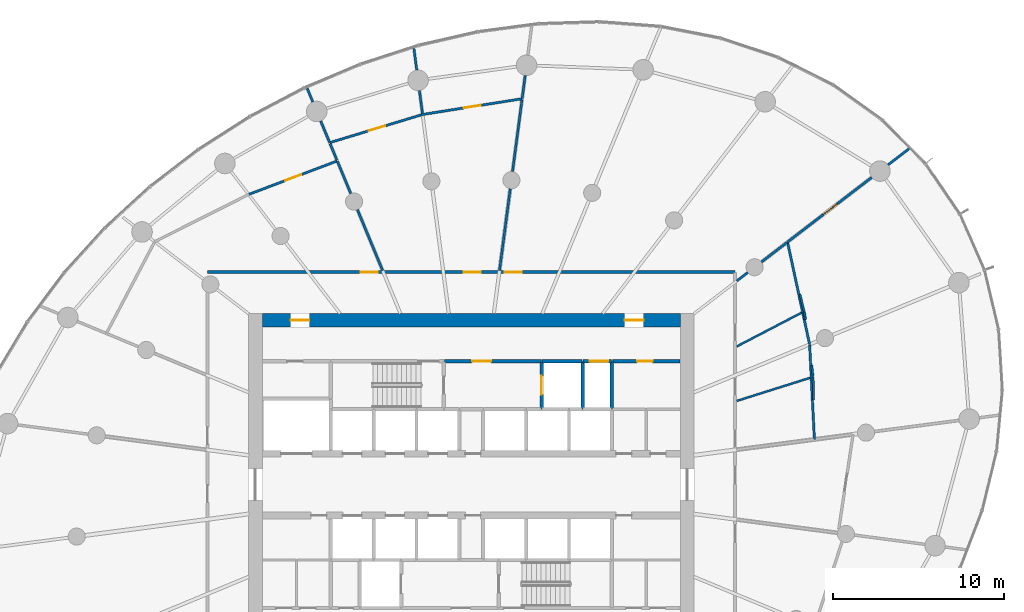
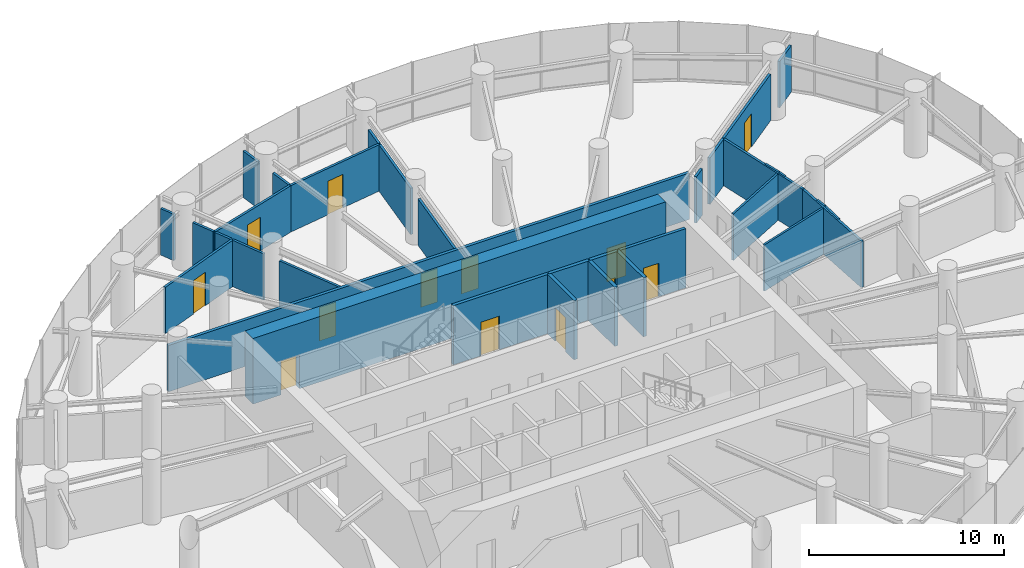
# One storey, part 14 of 18: 34 walls, 13 doors, 13 openings.
"""IFC4 building model written with IfcOpenShell, lengths in metres."""

import ifcopenshell
import ifcopenshell.guid

model = None  # the IFC model being written
_history = None  # IfcOwnerHistory: only IFC2X3 demands one
_inside = {}  # id of a spatial element -> (the spatial element, [elements in it])
_under = {}  # id of a project, library or spatial element -> (it, [spatial elements below it])
_declared = {}  # id of a project -> (the project, [libraries it declares])
_typed = {}  # id of a type object -> (the type object, [elements of that type])
_made_of = {}  # id of a material, layer set ... -> (it, [elements and type objects made of it])


def new_model(schema):
    """Start an empty IFC model of exactly this schema.

    Asked for "IFC4X3", IfcOpenShell would pick the latest addendum, in which some entities
    have other attributes; the version numbers below select the first issue.
    IFC2X3 requires an IfcOwnerHistory on every rooted entity: one is made here for all.
    """
    global model, _history
    if schema == "IFC4X3":
        model = ifcopenshell.file(schema_version=(4, 3, 0, 0))
    else:
        model = ifcopenshell.file(schema=schema)
    _inside.clear()
    _under.clear()
    _declared.clear()
    _typed.clear()
    _made_of.clear()
    _history = None
    if model.schema == "IFC2X3":
        org = make("IfcOrganization", Name="unknown")
        user = make(
            "IfcPersonAndOrganization",
            ThePerson=make("IfcPerson", FamilyName="unknown"),
            TheOrganization=org,
        )
        app = make(
            "IfcApplication",
            ApplicationDeveloper=org,
            Version="unknown",
            ApplicationFullName="unknown",
            ApplicationIdentifier="unknown",
        )
        _history = make(
            "IfcOwnerHistory",
            OwningUser=user,
            OwningApplication=app,
            ChangeAction="ADDED",
            CreationDate=0,
        )
    return model


def make(cls, **values):
    """One entity of the class cls with the attributes given. An attribute that is None is left unset."""
    return model.create_entity(
        cls, **{name: value for name, value in values.items() if value is not None}
    )


def rooted(cls, **values):
    """An entity with a GlobalId (a new one), such as an element, a storey or a relation."""
    return make(cls, GlobalId=ifcopenshell.guid.new(), OwnerHistory=_history, **values)


def si_unit(unit_type, name, prefix=None):
    """IfcSIUnit, for example si_unit("LENGTHUNIT", "METRE", prefix="MILLI")."""
    return make("IfcSIUnit", UnitType=unit_type, Prefix=prefix, Name=name)


def assignment(units):
    """IfcUnitAssignment: the units of a project."""
    return None if units is None else make("IfcUnitAssignment", Units=units)


def point(xyz):
    """IfcCartesianPoint."""
    return None if xyz is None else make("IfcCartesianPoint", Coordinates=xyz)


def direction(xyz):
    """IfcDirection."""
    return None if xyz is None else make("IfcDirection", DirectionRatios=xyz)


def frame(location, z_axis=None, x_axis=None):
    """IfcAxis2Placement3D, a coordinate frame: its origin and axes. An axis left out is left unset."""
    return make(
        "IfcAxis2Placement3D",
        Location=point(location),
        Axis=direction(z_axis),
        RefDirection=direction(x_axis),
    )


def frame_2d(location, x_axis=None):
    """IfcAxis2Placement2D, a coordinate frame in the plane: its origin and x axis."""
    return make(
        "IfcAxis2Placement2D", Location=point(location), RefDirection=direction(x_axis)
    )


def origin():
    """The frame at (0, 0, 0) with its axes left unset."""
    return frame((0.0, 0.0, 0.0))


def place(relative_to, where):
    """IfcLocalPlacement: puts the frame where relative to a parent placement (None: the world)."""
    return make(
        "IfcLocalPlacement", PlacementRelTo=relative_to, RelativePlacement=where
    )


def context(
    kind, dimensions, precision=None, world=None, true_north=None, identifier=None
):
    """IfcGeometricRepresentationContext, for example the 3D "Model" context."""
    return make(
        "IfcGeometricRepresentationContext",
        ContextIdentifier=identifier,
        ContextType=kind,
        CoordinateSpaceDimension=dimensions,
        Precision=precision,
        WorldCoordinateSystem=world,
        TrueNorth=true_north,
    )


def subcontext(parent, identifier, kind, view, scale=None):
    """IfcGeometricRepresentationSubContext, for example "Body" below "Model"."""
    return make(
        "IfcGeometricRepresentationSubContext",
        ContextIdentifier=identifier,
        ContextType=kind,
        ParentContext=parent,
        TargetScale=scale,
        TargetView=view,
    )


def project(units=None, contexts=None):
    """IfcProject with its units and contexts."""
    return rooted(
        "IfcProject",
        Name="project",
        RepresentationContexts=contexts,
        UnitsInContext=assignment(units),
    )


def spatial(cls, under=None, at=None, **own):
    """A site, building, storey or space (cls), placed at a placement, below another one or the project."""
    s = rooted(cls, ObjectPlacement=at, **own)
    if under is not None:
        _under.setdefault(under.id(), (under, []))[1].append(s)
    return s


def profile(cls, at=None, kind="AREA", **sizes):
    """A parametric profile (cls). Its sizes go by their IFC names, for example OverallWidth=200.0."""
    return make(cls, ProfileType=kind, Position=at, **sizes)


def rectangle(**sizes):
    """IfcRectangleProfileDef."""
    return profile("IfcRectangleProfileDef", **sizes)


def extrude(swept, where, along, depth):
    """IfcExtrudedAreaSolid: the profile swept, set in the frame where, extruded along a direction by depth."""
    return make(
        "IfcExtrudedAreaSolid",
        SweptArea=swept,
        Position=where,
        ExtrudedDirection=direction(along),
        Depth=depth,
    )


def shape(context_of_items, identifier, shape_type, items):
    """IfcShapeRepresentation: the items that make up one representation, for example the "Body"."""
    return make(
        "IfcShapeRepresentation",
        ContextOfItems=context_of_items,
        RepresentationIdentifier=identifier,
        RepresentationType=shape_type,
        Items=items,
    )


def source(mapping_origin, context_of_items, identifier, shape_type, items):
    """IfcRepresentationMap: a shape defined once, which mapped items show again and again."""
    return make(
        "IfcRepresentationMap",
        MappingOrigin=mapping_origin,
        MappedRepresentation=shape(context_of_items, identifier, shape_type, items),
    )


def transform(
    local_origin,
    x_axis=None,
    y_axis=None,
    z_axis=None,
    scale=None,
    scale2=None,
    scale3=None,
    uniform=True,
):
    """IfcCartesianTransformationOperator3D, or its non-uniform kind. x_axis, y_axis, z_axis: its Axis1, 2, 3."""
    if uniform:
        return make(
            "IfcCartesianTransformationOperator3D",
            Axis1=direction(x_axis),
            Axis2=direction(y_axis),
            LocalOrigin=point(local_origin),
            Scale=scale,
            Axis3=direction(z_axis),
        )
    return make(
        "IfcCartesianTransformationOperator3DnonUniform",
        Axis1=direction(x_axis),
        Axis2=direction(y_axis),
        LocalOrigin=point(local_origin),
        Scale=scale,
        Axis3=direction(z_axis),
        Scale2=scale2,
        Scale3=scale3,
    )


def mapped(mapping_source, mapping_target):
    """IfcMappedItem: shows the shape of a source again, moved by a transform."""
    return make(
        "IfcMappedItem", MappingSource=mapping_source, MappingTarget=mapping_target
    )


def material(Name=None, Category=None):
    """IfcMaterial."""
    return make("IfcMaterial", Name=Name, Category=Category)


def layer(
    of_material, thickness, ventilated=None, Name=None, Category=None, Priority=None
):
    """IfcMaterialLayer: one layer of a wall or slab, of a material (None: an air gap)."""
    return make(
        "IfcMaterialLayer",
        Material=of_material,
        LayerThickness=thickness,
        IsVentilated=ventilated,
        Name=Name,
        Category=Category,
        Priority=Priority,
    )


def layer_set(layers, Name=None):
    """IfcMaterialLayerSet."""
    return make("IfcMaterialLayerSet", MaterialLayers=layers, LayerSetName=Name)


def made_of(thing, what):
    """Note that an element or type object is made of a material, layer set ...; save() writes the relation."""
    if what is not None:
        _made_of.setdefault(what.id(), (what, []))[1].append(thing)
    return thing


def type_object(cls, material=None, **own):
    """A type object (cls), such as IfcWallType, which elements share."""
    return made_of(rooted(cls, **own), material)


def element(
    cls,
    number,
    at=None,
    inside=None,
    cuts=None,
    type_object=None,
    material=None,
    context=None,
    identifier="Body",
    shape_type=None,
    held_by="IfcProductDefinitionShape",
    body=None,
    shapes=None,
    **own,
):
    """One element of the class cls, such as IfcWall. Its Tag is "e" and its number.

    at: its placement. inside: the storey or other place that contains it. cuts: it is an
    opening in that element (IfcRelVoidsElement). A single representation is given by context,
    identifier, shape_type and body (its items); several are given by shapes. held_by: the class
    of the entity that holds the representations. save() writes the other relations.
    """
    e = rooted(cls, Tag="e%d" % number, ObjectPlacement=at, **own)
    if body is not None:
        shapes = [shape(context, identifier, shape_type, body)]
    if shapes is not None:
        e.Representation = make(held_by, Representations=shapes)
    if inside is not None:
        _inside.setdefault(inside.id(), (inside, []))[1].append(e)
    if cuts is not None:
        rooted(
            "IfcRelVoidsElement", RelatingBuildingElement=cuts, RelatedOpeningElement=e
        )
    if type_object is not None:
        _typed.setdefault(type_object.id(), (type_object, []))[1].append(e)
    return made_of(e, material)


def fill(opening, filler):
    """IfcRelFillsElement: the door or window that sits in an opening."""
    return rooted(
        "IfcRelFillsElement",
        RelatingOpeningElement=opening,
        RelatedBuildingElement=filler,
    )


def aggregate(whole, parts):
    """IfcRelAggregates: a whole, such as a stair, and the parts it consists of."""
    return rooted("IfcRelAggregates", RelatingObject=whole, RelatedObjects=parts)


def save(model, path):
    """Write the relations noted so far, then the file.

    IfcRelAggregates (storeys below a building ...), IfcRelContainedInSpatialStructure (elements
    in a storey), IfcRelDefinesByType, IfcRelAssociatesMaterial and IfcRelDeclares: one each for
    every whole, place, type object, material and project.
    """
    for whole, parts in _under.values():
        aggregate(whole, parts)
    for where, things in _inside.values():
        rooted(
            "IfcRelContainedInSpatialStructure",
            RelatedElements=things,
            RelatingStructure=where,
        )
    for kind, things in _typed.values():
        rooted("IfcRelDefinesByType", RelatedObjects=things, RelatingType=kind)
    for what, things in _made_of.values():
        rooted("IfcRelAssociatesMaterial", RelatedObjects=things, RelatingMaterial=what)
    for by, libraries in _declared.values():
        rooted("IfcRelDeclares", RelatingContext=by, RelatedDefinitions=libraries)
    model.write(path)


model = new_model("IFC4")

# Units and contexts
model_context = context("Model", 3, precision=1e-05, world=origin(), true_north=direction((0.0, 1.0)))
body_context = subcontext(model_context, "Body", "Model", "MODEL_VIEW")
ifc_project = project(units=[si_unit("LENGTHUNIT", "METRE"), si_unit("AREAUNIT", "SQUARE_METRE"), si_unit("VOLUMEUNIT", "CUBIC_METRE"), si_unit("PLANEANGLEUNIT", "RADIAN"), si_unit("MASSUNIT", "GRAM", prefix="KILO")], contexts=[model_context])

# Site, building, storey
site_placement = place(None, origin())
site = spatial("IfcSite", under=ifc_project, at=site_placement, CompositionType="ELEMENT")
building_placement = place(site_placement, origin())
building = spatial("IfcBuilding", under=site, at=building_placement, Name="Spindrift Exchange Tower", CompositionType="ELEMENT")
storey_placement = place(building_placement, frame((0.0, 0.0, 116.699951171875)))
storey = spatial("IfcBuildingStorey", under=building, at=storey_placement, Name="L27", CompositionType="ELEMENT", Elevation=116.699951171875)

# Wall, openings, doors
ifc_material_1 = material(Name="Concrete 65 MPa", Category="concrete")
ifc_layer_1 = layer(ifc_material_1, 0.800048828125)
ifc_layer_set_1 = layer_set([ifc_layer_1], Name="RC Core Wall 800 Concrete 65 MPa")
wall_type_1 = type_object("IfcWallType", Name="RC Core Wall 800 Concrete 65 MPa", PredefinedType="SHEAR", material=ifc_layer_set_1)
wall_1_placement = place(storey_placement, frame((64.199951171875, 57.60009765625, 0.0), z_axis=(0.0, 0.0, 1.0), x_axis=(-1.0, 0.0, 0.0)))
wall_1 = element("IfcWall", 1, at=wall_1_placement, inside=storey, type_object=wall_type_1, Name="Core wall N L27", PredefinedType="SHEAR", context=body_context, shape_type="SweptSolid", body=[
    extrude(rectangle(XDim=24.39990234375, YDim=0.800048828125, at=frame_2d((12.199951171875, 0.0))), origin(), (0.0, 0.0, 1.0), 4.10009765625),
])
opening_1_placement = place(wall_1_placement, frame((21.64990234375, 0.0, 0.0)))
opening_1 = element("IfcOpeningElement", 2, at=opening_1_placement, cuts=wall_1, Name="Opening L27-D20", PredefinedType="OPENING", context=body_context, shape_type="SweptSolid", body=[
    extrude(rectangle(XDim=1.10009765625, YDim=2.10009765625, at=frame_2d((0.550048828125, 1.050048828125))), frame((0.0, 0.409912109375, 0.0), z_axis=(0.0, -1.0, 0.0), x_axis=(1.0, 0.0, 0.0)), (0.0, 0.0, 1.0), 0.820068359375),
])
opening_2_placement = place(wall_1_placement, frame((2.14990234375, 0.0, 0.0)))
opening_2 = element("IfcOpeningElement", 3, at=opening_2_placement, cuts=wall_1, Name="Opening L27-D21", PredefinedType="OPENING", context=body_context, shape_type="SweptSolid", body=[
    extrude(rectangle(XDim=1.10009765625, YDim=2.10009765625, at=frame_2d((0.550048828125, 1.050048828125))), frame((0.0, 0.409912109375, 0.0), z_axis=(0.0, -1.0, 0.0), x_axis=(1.0, 0.0, 0.0)), (0.0, 0.0, 1.0), 0.820068359375),
])
ifc_material_2 = material(Name="Steel fire door", Category="steel")
door_type_1 = type_object("IfcDoorType", Name="DR-STAIR-1100", OperationType="NOTDEFINED", PredefinedType="DOOR", material=ifc_material_2)
shared_shape_1 = source(origin(), body_context, "Body", "SweptSolid", [
    extrude(rectangle(XDim=1.10009765625, YDim=2.10009765625, at=frame_2d((0.550048828125, 1.050048828125))), frame((0.0, 0.02490234375, 0.0), z_axis=(0.0, -1.0, 0.0), x_axis=(1.0, 0.0, 0.0)), (0.0, 0.0, 1.0), 0.050048828125),
])
door_1_placement = place(opening_1_placement, origin())
door_1 = element("IfcDoor", 4, at=door_1_placement, inside=storey, type_object=door_type_1, Name="L27 Stair door 20", OperationType="SINGLE_SWING_LEFT", OverallHeight=2.10009765625, OverallWidth=1.10009765625, PredefinedType="DOOR", context=body_context, shape_type="MappedRepresentation", body=[
    mapped(shared_shape_1, transform((0.0, 0.0, 0.0), scale=1.0)),
])
fill(opening_1, door_1)
door_2_placement = place(opening_2_placement, origin())
door_2 = element("IfcDoor", 5, at=door_2_placement, inside=storey, type_object=door_type_1, Name="L27 Stair door 21", OperationType="SINGLE_SWING_RIGHT", OverallHeight=2.10009765625, OverallWidth=1.10009765625, PredefinedType="DOOR", context=body_context, shape_type="MappedRepresentation", body=[
    mapped(shared_shape_1, transform((0.0, 0.0, 0.0), scale=1.0)),
])
fill(opening_2, door_2)

# Wall, opening, door
ifc_material_3 = material(Name="Fire-rated plasterboard partition", Category="gypsum")
ifc_layer_2 = layer(ifc_material_3, 0.179931640625)
ifc_layer_set_2 = layer_set([ifc_layer_2], Name="W-CORR-180")
wall_type_2 = type_object("IfcWallType", Name="W-CORR-180", PredefinedType="PARTITIONING", material=ifc_layer_set_2)
wall_2_placement = place(storey_placement, frame((64.179931640625, 55.199951171875, 0.0), z_axis=(0.0, 0.0, 1.0), x_axis=(-1.0, 0.0, 0.0)))
wall_2 = element("IfcWall", 6, at=wall_2_placement, inside=storey, type_object=wall_type_2, Name="L27 Partition wall 62", PredefinedType="PARTITIONING", context=body_context, shape_type="SweptSolid", body=[
    extrude(rectangle(XDim=3.949951171875, YDim=0.179931640625, at=frame_2d((1.97509765625, 0.0))), origin(), (0.0, 0.0, 1.0), 3.699951171875),
])
opening_3_placement = place(wall_2_placement, frame((1.60009765625, 0.0, 0.0)))
opening_3 = element("IfcOpeningElement", 7, at=opening_3_placement, cuts=wall_2, Name="Opening L27-D49", PredefinedType="OPENING", context=body_context, shape_type="SweptSolid", body=[
    extrude(rectangle(XDim=0.89990234375, YDim=2.10009765625, at=frame_2d((0.449951171875, 1.050048828125))), frame((0.0, 0.099853515625, 0.0), z_axis=(0.0, -1.0, 0.0), x_axis=(1.0, 0.0, 0.0)), (0.0, 0.0, 1.0), 0.199951171875),
])
ifc_material_4 = material(Name="Steel access door", Category="steel")
door_type_2 = type_object("IfcDoorType", Name="DR-RISER-900", OperationType="NOTDEFINED", PredefinedType="DOOR", material=ifc_material_4)
shared_shape_2 = source(origin(), body_context, "Body", "SweptSolid", [
    extrude(rectangle(XDim=0.89990234375, YDim=2.10009765625, at=frame_2d((0.449951171875, 1.050048828125))), frame((0.0, 0.02490234375, 0.0), z_axis=(0.0, -1.0, 0.0), x_axis=(1.0, 0.0, 0.0)), (0.0, 0.0, 1.0), 0.050048828125),
])
door_3_placement = place(opening_3_placement, origin())
door_3 = element("IfcDoor", 8, at=door_3_placement, inside=storey, type_object=door_type_2, Name="L27 Riser door 49", OperationType="SINGLE_SWING_RIGHT", OverallHeight=2.10009765625, OverallWidth=0.89990234375, PredefinedType="DOOR", context=body_context, shape_type="MappedRepresentation", body=[
    mapped(shared_shape_2, transform((0.0, 0.0, 0.0), scale=1.0)),
])
fill(opening_3, door_3)

ifc_layer_3 = layer(ifc_material_3, 0.139892578125)
ifc_layer_set_3 = layer_set([ifc_layer_3], Name="W-PART-140")
wall_type_3 = type_object("IfcWallType", Name="W-PART-140", PredefinedType="PARTITIONING", material=ifc_layer_set_3)
wall_3_placement = place(storey_placement, frame((49.156005859375, 69.6025390625, 0.0), z_axis=(0.0, 0.0, 1.0), x_axis=(0.987742424173, 0.156092611898, 0.0)))
wall_3 = element("IfcWall", 9, at=wall_3_placement, inside=storey, type_object=wall_type_3, Name="L27 Partition wall 72", PredefinedType="PARTITIONING", context=body_context, shape_type="SweptSolid", body=[
    extrude(rectangle(XDim=5.880859375, YDim=0.139892578125, at=frame_2d((2.9404296875, 0.0))), origin(), (0.0, 0.0, 1.0), 2.900146484375),
])
opening_4_placement = place(wall_3_placement, frame((2.430908203125, 0.0, 0.0)))
opening_4 = element("IfcOpeningElement", 10, at=opening_4_placement, cuts=wall_3, Name="Opening L27-D30", PredefinedType="OPENING", context=body_context, shape_type="SweptSolid", body=[
    extrude(rectangle(XDim=1.0, YDim=2.10009765625, at=frame_2d((0.5, 1.050048828125))), frame((0.0, 0.079833984375, 0.0), z_axis=(0.0, -1.0, 0.0), x_axis=(1.0, 0.0, 0.0)), (0.0, 0.0, 1.0), 0.159912109375),
])
ifc_material_5 = material(Name="Timber-core fire door", Category="wood")
door_type_3 = type_object("IfcDoorType", Name="DR-ROOM-1000", OperationType="NOTDEFINED", PredefinedType="DOOR", material=ifc_material_5)
shared_shape_3 = source(origin(), body_context, "Body", "SweptSolid", [
    extrude(rectangle(XDim=1.0, YDim=2.10009765625, at=frame_2d((0.5, 1.050048828125))), frame((0.0, 0.02490234375, 0.0), z_axis=(0.0, -1.0, 0.0), x_axis=(1.0, 0.0, 0.0)), (0.0, 0.0, 1.0), 0.050048828125),
])
door_4_placement = place(opening_4_placement, origin())
door_4 = element("IfcDoor", 11, at=door_4_placement, inside=storey, type_object=door_type_3, Name="L27 Door 30", OperationType="SINGLE_SWING_LEFT", OverallHeight=2.10009765625, OverallWidth=1.0, PredefinedType="DOOR", context=body_context, shape_type="MappedRepresentation", body=[
    mapped(shared_shape_3, transform((0.0, 0.0, 0.0), scale=1.0)),
])
fill(opening_4, door_4)

wall_4_placement = place(storey_placement, frame((43.7333984375, 67.957275390625, 0.0), z_axis=(0.0, 0.0, 1.0), x_axis=(0.956926356981, 0.290330755028, 0.0)))
wall_4 = element("IfcWall", 12, at=wall_4_placement, inside=storey, type_object=wall_type_3, Name="L27 Partition wall 74", PredefinedType="PARTITIONING", context=body_context, shape_type="SweptSolid", body=[
    extrude(rectangle(XDim=5.636474609375, YDim=0.139892578125, at=frame_2d((2.818359375, 0.0))), origin(), (0.0, 0.0, 1.0), 2.900146484375),
])
opening_5_placement = place(wall_4_placement, frame((2.38671875, 0.0, 0.0)))
opening_5 = element("IfcOpeningElement", 13, at=opening_5_placement, cuts=wall_4, Name="Opening L27-D31", PredefinedType="OPENING", context=body_context, shape_type="SweptSolid", body=[
    extrude(rectangle(XDim=1.0, YDim=2.10009765625, at=frame_2d((0.5, 1.050048828125))), frame((0.0, 0.079833984375, 0.0), z_axis=(0.0, -1.0, 0.0), x_axis=(1.0, 0.0, 0.0)), (0.0, 0.0, 1.0), 0.159912109375),
])
door_5_placement = place(opening_5_placement, origin())
door_5 = element("IfcDoor", 14, at=door_5_placement, inside=storey, type_object=door_type_3, Name="L27 Door 31", OperationType="SINGLE_SWING_RIGHT", OverallHeight=2.10009765625, OverallWidth=1.0, PredefinedType="DOOR", context=body_context, shape_type="MappedRepresentation", body=[
    mapped(shared_shape_3, transform((0.0, 0.0, 0.0), scale=1.0)),
])
fill(opening_5, door_5)

wall_5_placement = place(storey_placement, frame((39.0322265625, 64.947021484375, 0.0), z_axis=(0.0, 0.0, 1.0), x_axis=(0.935431962105, 0.353506781084, 0.0)))
wall_5 = element("IfcWall", 15, at=wall_5_placement, inside=storey, type_object=wall_type_3, Name="L27 Partition wall 78", PredefinedType="PARTITIONING", context=body_context, shape_type="SweptSolid", body=[
    extrude(rectangle(XDim=5.498046875, YDim=0.139892578125, at=frame_2d((2.7490234375, 0.0))), origin(), (0.0, 0.0, 1.0), 2.900146484375),
])
opening_6_placement = place(wall_5_placement, frame((2.248046875, 0.0, 0.0)))
opening_6 = element("IfcOpeningElement", 16, at=opening_6_placement, cuts=wall_5, Name="Opening L27-D33", PredefinedType="OPENING", context=body_context, shape_type="SweptSolid", body=[
    extrude(rectangle(XDim=1.0, YDim=2.10009765625, at=frame_2d((0.5, 1.050048828125))), frame((0.0, 0.079833984375, 0.0), z_axis=(0.0, -1.0, 0.0), x_axis=(1.0, 0.0, 0.0)), (0.0, 0.0, 1.0), 0.159912109375),
])
door_6_placement = place(opening_6_placement, origin())
door_6 = element("IfcDoor", 17, at=door_6_placement, inside=storey, type_object=door_type_3, Name="L27 Door 33", OperationType="SINGLE_SWING_RIGHT", OverallHeight=2.10009765625, OverallWidth=1.0, PredefinedType="DOOR", context=body_context, shape_type="MappedRepresentation", body=[
    mapped(shared_shape_3, transform((0.0, 0.0, 0.0), scale=1.0)),
])
fill(opening_6, door_6)

# Walls
wall_6_placement = place(storey_placement, frame((46.826416015625, 60.489990234375, 0.0), z_axis=(0.0, 0.0, 1.0), x_axis=(-0.382644558062, 0.923895633817, 0.0)))
element("IfcWall", 18, at=wall_6_placement, inside=storey, type_object=wall_type_3, Name="L27 Partition wall 88", PredefinedType="PARTITIONING", context=body_context, shape_type="SweptSolid", body=[
    extrude(rectangle(XDim=3.854248046875, YDim=0.139892578125, at=frame_2d((1.92724609375, 0.0))), origin(), (0.0, 0.0, 1.0), 2.900146484375),
])
wall_7_placement = place(storey_placement, frame((44.965087890625, 64.984130859375, 0.0), z_axis=(0.0, 0.0, 1.0), x_axis=(-0.382705198342, 0.923870516448, 0.0)))
element("IfcWall", 19, at=wall_7_placement, inside=storey, type_object=wall_type_3, Name="L27 Partition wall 97", PredefinedType="PARTITIONING", context=body_context, shape_type="SweptSolid", body=[
    extrude(rectangle(XDim=2.03369140625, YDim=0.139892578125, at=frame_2d((1.016845703125, 0.0))), origin(), (0.0, 0.0, 1.0), 2.900146484375),
])
wall_8_placement = place(storey_placement, frame((49.146728515625, 69.672119140625, 0.0), z_axis=(0.0, 0.0, 1.0), x_axis=(-0.13053490902, 0.991443713746, 0.0)))
element("IfcWall", 20, at=wall_8_placement, inside=storey, type_object=wall_type_3, Name="L27 Partition wall 111", PredefinedType="PARTITIONING", context=body_context, shape_type="SweptSolid", body=[
    extrude(rectangle(XDim=1.33544921875, YDim=0.139892578125, at=frame_2d((0.667724609375, 0.0))), origin(), (0.0, 0.0, 1.0), 2.900146484375),
])
wall_9_placement = place(storey_placement, frame((43.721923828125, 67.985107421875, 0.0), z_axis=(0.0, 0.0, 1.0), x_axis=(-0.382684725633, 0.923878996821, 0.0)))
element("IfcWall", 21, at=wall_9_placement, inside=storey, type_object=wall_type_3, Name="L27 Partition wall 113", PredefinedType="PARTITIONING", context=body_context, shape_type="SweptSolid", body=[
    extrude(rectangle(XDim=1.33837890625, YDim=0.139892578125, at=frame_2d((0.669189453125, 0.0))), origin(), (0.0, 0.0, 1.0), 2.900146484375),
])
wall_10_placement = place(storey_placement, frame((48.814697265625, 72.194580078125, 0.0), z_axis=(0.0, 0.0, 1.0), x_axis=(-0.130583288492, 0.991437342834, 0.0)))
element("IfcWall", 22, at=wall_10_placement, inside=storey, type_object=wall_type_3, Name="L27 Partition wall 114", PredefinedType="PARTITIONING", context=body_context, shape_type="SweptSolid", body=[
    extrude(rectangle(XDim=1.275146484375, YDim=0.139892578125, at=frame_2d((0.6376953125, 0.0))), origin(), (0.0, 0.0, 1.0), 2.900146484375),
])
wall_11_placement = place(storey_placement, frame((44.1484375, 66.955322265625, 0.0), z_axis=(0.0, 0.0, 1.0), x_axis=(-0.382734457734, 0.923858395461, 0.0)))
element("IfcWall", 23, at=wall_11_placement, inside=storey, type_object=wall_type_3, Name="L27 Partition wall 119", PredefinedType="PARTITIONING", context=body_context, shape_type="SweptSolid", body=[
    extrude(rectangle(XDim=1.01416015625, YDim=0.139892578125, at=frame_2d((0.507080078125, 0.0))), origin(), (0.0, 0.0, 1.0), 2.900146484375),
])
wall_12_placement = place(storey_placement, frame((42.74658203125, 70.339599609375, 0.0), z_axis=(0.0, 0.0, 1.0), x_axis=(-0.38271578582, 0.923866130608, 0.0)))
element("IfcWall", 24, at=wall_12_placement, inside=storey, type_object=wall_type_3, Name="L27 Partition wall 123", PredefinedType="PARTITIONING", context=body_context, shape_type="SweptSolid", body=[
    extrude(rectangle(XDim=0.84912109375, YDim=0.139892578125, at=frame_2d((0.424560546875, 0.0))), origin(), (0.0, 0.0, 1.0), 2.900146484375),
])
ifc_layer_4 = layer(ifc_material_3, 0.1201171875)
ifc_layer_set_4 = layer_set([ifc_layer_4], Name="W-PLANT-120")
wall_type_4 = type_object("IfcWallType", Name="W-PLANT-120", PredefinedType="PARTITIONING", material=ifc_layer_set_4)
wall_13_placement = place(storey_placement, frame((71.422607421875, 58.11083984375, 0.0), z_axis=(0.0, 0.0, 1.0), x_axis=(-0.232763298867, 0.972533416753, 0.0)))
element("IfcWall", 25, at=wall_13_placement, inside=storey, type_object=wall_type_4, Name="L27 Partition wall 127", PredefinedType="PARTITIONING", context=body_context, shape_type="SweptSolid", body=[
    extrude(rectangle(XDim=1.030029296875, YDim=0.1201171875, at=frame_2d((0.51513671875, 0.0))), origin(), (0.0, 0.0, 1.0), 2.900146484375),
])
wall_14_placement = place(storey_placement, frame((71.976806640625, 52.94970703125, 0.0), z_axis=(0.0, 0.0, 1.0), x_axis=(-0.019846754813, 0.999803033764, 0.0)))
element("IfcWall", 26, at=wall_14_placement, inside=storey, type_object=wall_type_4, Name="L27 Partition wall 128", PredefinedType="PARTITIONING", context=body_context, shape_type="SweptSolid", body=[
    extrude(rectangle(XDim=1.3408203125, YDim=0.1201171875, at=frame_2d((0.67041015625, 0.0))), origin(), (0.0, 0.0, 1.0), 2.900146484375),
])
wall_15_placement = place(storey_placement, frame((71.502197265625, 57.6328125, 0.0), z_axis=(0.0, 0.0, 1.0), x_axis=(-0.16431191093, 0.986408432611, 0.0)))
element("IfcWall", 27, at=wall_15_placement, inside=storey, type_object=wall_type_4, Name="L27 Partition wall 129", PredefinedType="PARTITIONING", context=body_context, shape_type="SweptSolid", body=[
    extrude(rectangle(XDim=0.45458984375, YDim=0.1201171875, at=frame_2d((0.227294921875, 0.0))), origin(), (0.0, 0.0, 1.0), 2.900146484375),
])
wall_16_placement = place(storey_placement, frame((71.94677734375, 54.320068359375, 0.0), z_axis=(0.0, 0.0, 1.0), x_axis=(-0.108019844457, 0.994148737968, 0.0)))
element("IfcWall", 28, at=wall_16_placement, inside=storey, type_object=wall_type_4, Name="L27 Partition wall 130", PredefinedType="PARTITIONING", context=body_context, shape_type="SweptSolid", body=[
    extrude(rectangle(XDim=0.666748046875, YDim=0.1201171875, at=frame_2d((0.33349609375, 0.0))), origin(), (0.0, 0.0, 1.0), 2.900146484375),
])

# Wall, opening, door
ifc_layer_5 = layer(ifc_material_3, 0.139892578125)
ifc_layer_set_5 = layer_set([ifc_layer_5], Name="W-PLANT-140")
wall_type_5 = type_object("IfcWallType", Name="W-PLANT-140", PredefinedType="PARTITIONING", material=ifc_layer_set_5)
wall_17_placement = place(storey_placement, frame((75.368896484375, 65.931396484375, 0.0), z_axis=(0.0, 0.0, 1.0), x_axis=(-0.793364649737, -0.608746689969, 0.0)))
wall_17 = element("IfcWall", 29, at=wall_17_placement, inside=storey, type_object=wall_type_5, Name="L27 Partition wall 66", PredefinedType="PARTITIONING", context=body_context, shape_type="SweptSolid", body=[
    extrude(rectangle(XDim=6.195556640625, YDim=0.139892578125, at=frame_2d((3.09765625, 0.0))), origin(), (0.0, 0.0, 1.0), 2.900146484375),
])
opening_7_placement = place(wall_17_placement, frame((2.54541015625, 0.0, 0.0)))
opening_7 = element("IfcOpeningElement", 30, at=opening_7_placement, cuts=wall_17, Name="Opening L27-D28", PredefinedType="OPENING", context=body_context, shape_type="SweptSolid", body=[
    extrude(rectangle(XDim=1.0, YDim=2.10009765625, at=frame_2d((0.5, 1.050048828125))), frame((0.0, 0.079833984375, 0.0), z_axis=(0.0, -1.0, 0.0), x_axis=(1.0, 0.0, 0.0)), (0.0, 0.0, 1.0), 0.159912109375),
])
door_7_placement = place(opening_7_placement, origin())
door_7 = element("IfcDoor", 31, at=door_7_placement, inside=storey, type_object=door_type_3, Name="L27 Door 28", OperationType="SINGLE_SWING_LEFT", OverallHeight=2.10009765625, OverallWidth=1.0, PredefinedType="DOOR", context=body_context, shape_type="MappedRepresentation", body=[
    mapped(shared_shape_3, transform((0.0, 0.0, 0.0), scale=1.0)),
])
fill(opening_7, door_7)

# Walls
wall_18_placement = place(storey_placement, frame((71.74462890625, 56.178466796875, 0.0), z_axis=(0.0, 0.0, 1.0), x_axis=(-0.211012899324, 0.977483276746, 0.0)))
element("IfcWall", 32, at=wall_18_placement, inside=storey, type_object=wall_type_5, Name="L27 Partition wall 68", PredefinedType="PARTITIONING", context=body_context, shape_type="SweptSolid", body=[
    extrude(rectangle(XDim=6.08935546875, YDim=0.139892578125, at=frame_2d((3.044677734375, 0.0))), origin(), (0.0, 0.0, 1.0), 2.900146484375),
])
wall_19_placement = place(storey_placement, frame((72.022705078125, 50.635986328125, 0.0), z_axis=(0.0, 0.0, 1.0), x_axis=(-0.050114100286, 0.998743499079, 0.0)))
element("IfcWall", 33, at=wall_19_placement, inside=storey, type_object=wall_type_5, Name="L27 Partition wall 77", PredefinedType="PARTITIONING", context=body_context, shape_type="SweptSolid", body=[
    extrude(rectangle(XDim=5.51953125, YDim=0.139892578125, at=frame_2d((2.759765625, 0.0))), origin(), (0.0, 0.0, 1.0), 2.900146484375),
])
wall_20_placement = place(storey_placement, frame((53.644287109375, 60.489990234375, 0.0), z_axis=(0.0, 0.0, 1.0), x_axis=(0.130523979823, 0.991445152639, 0.0)))
element("IfcWall", 34, at=wall_20_placement, inside=storey, type_object=wall_type_5, Name="L27 Partition wall 81", PredefinedType="PARTITIONING", context=body_context, shape_type="SweptSolid", body=[
    extrude(rectangle(XDim=4.818359375, YDim=0.139892578125, at=frame_2d((2.4091796875, 0.0))), origin(), (0.0, 0.0, 1.0), 2.900146484375),
])
wall_21_placement = place(storey_placement, frame((54.405029296875, 66.267333984375, 0.0), z_axis=(0.0, 0.0, 1.0), x_axis=(0.130494948199, 0.991448974226, 0.0)))
element("IfcWall", 35, at=wall_21_placement, inside=storey, type_object=wall_type_5, Name="L27 Partition wall 84", PredefinedType="PARTITIONING", context=body_context, shape_type="SweptSolid", body=[
    extrude(rectangle(XDim=4.217041015625, YDim=0.139892578125, at=frame_2d((2.1083984375, 0.0))), origin(), (0.0, 0.0, 1.0), 2.900146484375),
])
wall_22_placement = place(storey_placement, frame((68.93505859375, 60.99462890625, 0.0), z_axis=(0.0, 0.0, 1.0), x_axis=(0.793326792115, 0.608796025703, 0.0)))
element("IfcWall", 36, at=wall_22_placement, inside=storey, type_object=wall_type_5, Name="L27 Partition wall 106", PredefinedType="PARTITIONING", context=body_context, shape_type="SweptSolid", body=[
    extrude(rectangle(XDim=1.884033203125, YDim=0.139892578125, at=frame_2d((0.94189453125, 0.0))), origin(), (0.0, 0.0, 1.0), 2.900146484375),
])
wall_23_placement = place(storey_placement, frame((76.32763671875, 66.667236328125, 0.0), z_axis=(0.0, 0.0, 1.0), x_axis=(0.793354548889, 0.60875985393, 0.0)))
element("IfcWall", 37, at=wall_23_placement, inside=storey, type_object=wall_type_5, Name="L27 Partition wall 110", PredefinedType="PARTITIONING", context=body_context, shape_type="SweptSolid", body=[
    extrude(rectangle(XDim=1.576416015625, YDim=0.139892578125, at=frame_2d((0.7880859375, 0.0))), origin(), (0.0, 0.0, 1.0), 2.900146484375),
])
wall_24_placement = place(storey_placement, frame((54.96875, 70.55029296875, 0.0), z_axis=(0.0, 0.0, 1.0), x_axis=(0.130563003548, 0.991440014375, 0.0)))
element("IfcWall", 38, at=wall_24_placement, inside=storey, type_object=wall_type_5, Name="L27 Partition wall 112", PredefinedType="PARTITIONING", context=body_context, shape_type="SweptSolid", body=[
    extrude(rectangle(XDim=1.3388671875, YDim=0.139892578125, at=frame_2d((0.66943359375, 0.0))), origin(), (0.0, 0.0, 1.0), 2.900146484375),
])
wall_25_placement = place(storey_placement, frame((67.489990234375, 59.885986328125, 0.0), z_axis=(0.0, 0.0, 1.0), x_axis=(0.793316076519, 0.608809989025, 0.0)))
element("IfcWall", 39, at=wall_25_placement, inside=storey, type_object=wall_type_5, Name="L27 Partition wall 122", PredefinedType="PARTITIONING", context=body_context, shape_type="SweptSolid", body=[
    extrude(rectangle(XDim=0.8125, YDim=0.139892578125, at=frame_2d((0.40625, 0.0))), origin(), (0.0, 0.0, 1.0), 2.900146484375),
])

# Wall, openings, doors
ifc_layer_6 = layer(ifc_material_3, 0.179931640625)
ifc_layer_set_6 = layer_set([ifc_layer_6], Name="W-PLANT-180")
wall_type_6 = type_object("IfcWallType", Name="W-PLANT-180", PredefinedType="PARTITIONING", material=ifc_layer_set_6)
wall_26_placement = place(storey_placement, frame((36.60009765625, 60.39990234375, 0.0), z_axis=(0.0, 0.0, 1.0), x_axis=(1.0, 0.0, 0.0)))
wall_26 = element("IfcWall", 40, at=wall_26_placement, inside=storey, type_object=wall_type_6, Name="L27 Partition wall 58", PredefinedType="PARTITIONING", context=body_context, shape_type="SweptSolid", body=[
    extrude(rectangle(XDim=30.7998046875, YDim=0.179931640625, at=frame_2d((15.39990234375, 0.0))), origin(), (0.0, 0.0, 1.0), 2.900146484375),
])
opening_8_placement = place(wall_26_placement, frame((17.35009765625, 0.0, 0.0)))
opening_8 = element("IfcOpeningElement", 41, at=opening_8_placement, cuts=wall_26, Name="Opening L27-D27", PredefinedType="OPENING", context=body_context, shape_type="SweptSolid", body=[
    extrude(rectangle(XDim=1.0, YDim=2.10009765625, at=frame_2d((0.5, 1.050048828125))), frame((0.0, 0.099853515625, 0.0), z_axis=(0.0, -1.0, 0.0), x_axis=(1.0, 0.0, 0.0)), (0.0, 0.0, 1.0), 0.199951171875),
])
opening_9_placement = place(wall_26_placement, frame((14.949951171875, 0.0, 0.0)))
opening_9 = element("IfcOpeningElement", 42, at=opening_9_placement, cuts=wall_26, Name="Opening L27-D29", PredefinedType="OPENING", context=body_context, shape_type="SweptSolid", body=[
    extrude(rectangle(XDim=1.0, YDim=2.10009765625, at=frame_2d((0.5, 1.050048828125))), frame((0.0, 0.099853515625, 0.0), z_axis=(0.0, -1.0, 0.0), x_axis=(1.0, 0.0, 0.0)), (0.0, 0.0, 1.0), 0.199951171875),
])
opening_10_placement = place(wall_26_placement, frame((8.949951171875, 0.0, 0.0)))
opening_10 = element("IfcOpeningElement", 43, at=opening_10_placement, cuts=wall_26, Name="Opening L27-D32", PredefinedType="OPENING", context=body_context, shape_type="SweptSolid", body=[
    extrude(rectangle(XDim=1.0, YDim=2.10009765625, at=frame_2d((0.5, 1.050048828125))), frame((0.0, 0.099853515625, 0.0), z_axis=(0.0, -1.0, 0.0), x_axis=(1.0, 0.0, 0.0)), (0.0, 0.0, 1.0), 0.199951171875),
])
door_8_placement = place(opening_8_placement, origin())
door_8 = element("IfcDoor", 44, at=door_8_placement, inside=storey, type_object=door_type_3, Name="L27 Door 27", OperationType="SINGLE_SWING_RIGHT", OverallHeight=2.10009765625, OverallWidth=1.0, PredefinedType="DOOR", context=body_context, shape_type="MappedRepresentation", body=[
    mapped(shared_shape_3, transform((0.0, 0.0, 0.0), scale=1.0)),
])
fill(opening_8, door_8)
door_9_placement = place(opening_9_placement, origin())
door_9 = element("IfcDoor", 45, at=door_9_placement, inside=storey, type_object=door_type_3, Name="L27 Door 29", OperationType="SINGLE_SWING_RIGHT", OverallHeight=2.10009765625, OverallWidth=1.0, PredefinedType="DOOR", context=body_context, shape_type="MappedRepresentation", body=[
    mapped(shared_shape_3, transform((0.0, 0.0, 0.0), scale=1.0)),
])
fill(opening_9, door_9)
door_10_placement = place(opening_10_placement, origin())
door_10 = element("IfcDoor", 46, at=door_10_placement, inside=storey, type_object=door_type_3, Name="L27 Door 32", OperationType="SINGLE_SWING_LEFT", OverallHeight=2.10009765625, OverallWidth=1.0, PredefinedType="DOOR", context=body_context, shape_type="MappedRepresentation", body=[
    mapped(shared_shape_3, transform((0.0, 0.0, 0.0), scale=1.0)),
])
fill(opening_10, door_10)

# Wall, opening, door
ifc_material_6 = material(Name="Concrete 40 MPa", Category="concrete")
ifc_layer_7 = layer(ifc_material_6, 0.199951171875)
ifc_layer_set_7 = layer_set([ifc_layer_7], Name="W-SHAFT-200")
wall_type_7 = type_object("IfcWallType", Name="W-SHAFT-200", PredefinedType="SOLIDWALL", material=ifc_layer_set_7)
wall_27_placement = place(storey_placement, frame((56.10009765625, 55.169921875, 0.0), z_axis=(0.0, 0.0, 1.0), x_axis=(0.0, -1.0, 0.0)))
wall_27 = element("IfcWall", 47, at=wall_27_placement, inside=storey, type_object=wall_type_7, Name="L27 Shaft wall 12", PredefinedType="SOLIDWALL", context=body_context, shape_type="SweptSolid", body=[
    extrude(rectangle(XDim=2.77001953125, YDim=0.199951171875, at=frame_2d((1.385009765625, 0.0))), origin(), (0.0, 0.0, 1.0), 3.699951171875),
])
opening_11_placement = place(wall_27_placement, frame((0.820068359375, 0.0, 0.0)))
opening_11 = element("IfcOpeningElement", 48, at=opening_11_placement, cuts=wall_27, Name="Opening L27-D9", PredefinedType="OPENING", context=body_context, shape_type="SweptSolid", body=[
    extrude(rectangle(XDim=1.10009765625, YDim=2.10009765625, at=frame_2d((0.550048828125, 1.050048828125))), frame((0.0, 0.10986328125, 0.0), z_axis=(0.0, -1.0, 0.0), x_axis=(1.0, 0.0, 0.0)), (0.0, 0.0, 1.0), 0.219970703125),
])
ifc_material_7 = material(Name="Stainless steel landing door", Category="steel")
door_type_4 = type_object("IfcDoorType", Name="DR-LANDING-1100-SL", OperationType="DOUBLE_DOOR_SLIDING", PredefinedType="USERDEFINED", material=ifc_material_7)
shared_shape_4 = source(origin(), body_context, "Body", "SweptSolid", [
    extrude(rectangle(XDim=1.10009765625, YDim=2.10009765625, at=frame_2d((0.550048828125, 1.050048828125))), frame((0.0, 0.02490234375, 0.0), z_axis=(0.0, -1.0, 0.0), x_axis=(1.0, 0.0, 0.0)), (0.0, 0.0, 1.0), 0.050048828125),
])
door_11_placement = place(opening_11_placement, origin())
door_11 = element("IfcDoor", 49, at=door_11_placement, inside=storey, type_object=door_type_4, Name="L27 Lift landing door 9", ObjectType="LANDING DOOR", OperationType="DOUBLE_DOOR_SLIDING", OverallHeight=2.10009765625, OverallWidth=1.10009765625, PredefinedType="USERDEFINED", context=body_context, shape_type="MappedRepresentation", body=[
    mapped(shared_shape_4, transform((0.0, 0.0, 0.0), scale=1.0)),
])
fill(opening_11, door_11)

# Walls
for number, where, z_axis, x_axis, name in (
    (50, (58.5, 52.39990234375, 0.0), (0.0, 0.0, 1.0), (0.0, 1.0, 0.0), "L27 Shaft wall 13"),
    (51, (60.199951171875, 52.39990234375, 0.0), (0.0, 0.0, 1.0), (0.0, 1.0, 0.0), "L27 Shaft wall 14"),
):
    element("IfcWall", number, at=place(storey_placement, frame(where, z_axis=z_axis, x_axis=x_axis)), inside=storey, type_object=wall_type_7, Name=name, PredefinedType="SOLIDWALL", context=body_context, shape_type="SweptSolid", body=[
        extrude(rectangle(XDim=2.800048828125, YDim=0.199951171875, at=frame_2d((1.39990234375, 0.0))), origin(), (0.0, 0.0, 1.0), 3.699951171875),
    ])
wall_28_placement = place(storey_placement, frame((58.469970703125, 55.199951171875, 0.0), z_axis=(0.0, 0.0, 1.0), x_axis=(-1.0, 0.0, 0.0)))
element("IfcWall", 52, at=wall_28_placement, inside=storey, type_object=wall_type_7, Name="L27 Shaft wall 22", PredefinedType="SOLIDWALL", context=body_context, shape_type="SweptSolid", body=[
    extrude(rectangle(XDim=2.340087890625, YDim=0.199951171875, at=frame_2d((1.169921875, 0.0))), origin(), (0.0, 0.0, 1.0), 3.699951171875),
])

# Wall, opening, door
wall_29_placement = place(storey_placement, frame((60.169921875, 55.199951171875, 0.0), z_axis=(0.0, 0.0, 1.0), x_axis=(-1.0, 0.0, 0.0)))
wall_29 = element("IfcWall", 53, at=wall_29_placement, inside=storey, type_object=wall_type_7, Name="L27 Shaft wall 43", PredefinedType="SOLIDWALL", context=body_context, shape_type="SweptSolid", body=[
    extrude(rectangle(XDim=1.639892578125, YDim=0.199951171875, at=frame_2d((0.81982421875, 0.0))), origin(), (0.0, 0.0, 1.0), 3.699951171875),
])
opening_12_placement = place(wall_29_placement, frame((0.169921875, 0.0, 0.0)))
opening_12 = element("IfcOpeningElement", 54, at=opening_12_placement, cuts=wall_29, Name="Opening L27-D11", PredefinedType="OPENING", context=body_context, shape_type="SweptSolid", body=[
    extrude(rectangle(XDim=1.10009765625, YDim=2.10009765625, at=frame_2d((0.550048828125, 1.050048828125))), frame((0.0, 0.10986328125, 0.0), z_axis=(0.0, -1.0, 0.0), x_axis=(1.0, 0.0, 0.0)), (0.0, 0.0, 1.0), 0.219970703125),
])
door_12_placement = place(opening_12_placement, origin())
door_12 = element("IfcDoor", 55, at=door_12_placement, inside=storey, type_object=door_type_4, Name="L27 Lift landing door 11", ObjectType="LANDING DOOR", OperationType="DOUBLE_DOOR_SLIDING", OverallHeight=2.10009765625, OverallWidth=1.10009765625, PredefinedType="USERDEFINED", context=body_context, shape_type="MappedRepresentation", body=[
    mapped(shared_shape_4, transform((0.0, 0.0, 0.0), scale=1.0)),
])
fill(opening_12, door_12)

ifc_layer_8 = layer(ifc_material_6, 0.199951171875)
ifc_layer_set_8 = layer_set([ifc_layer_8], Name="W-SHAFT-200-LB")
wall_type_8 = type_object("IfcWallType", Name="W-SHAFT-200-LB", PredefinedType="SOLIDWALL", material=ifc_layer_set_8)
wall_30_placement = place(storey_placement, frame((56.10009765625, 55.199951171875, 0.0), z_axis=(0.0, 0.0, 1.0), x_axis=(-1.0, 0.0, 0.0)))
wall_30 = element("IfcWall", 56, at=wall_30_placement, inside=storey, type_object=wall_type_8, Name="L27 Shaft wall 4", PredefinedType="SOLIDWALL", context=body_context, shape_type="SweptSolid", body=[
    extrude(rectangle(XDim=5.670166015625, YDim=0.199951171875, at=frame_2d((2.8349609375, 0.0))), origin(), (0.0, 0.0, 1.0), 3.699951171875),
])
opening_13_placement = place(wall_30_placement, frame((2.949951171875, 0.0, 0.0)))
opening_13 = element("IfcOpeningElement", 57, at=opening_13_placement, cuts=wall_30, Name="Opening L27-D15", PredefinedType="OPENING", context=body_context, shape_type="SweptSolid", body=[
    extrude(rectangle(XDim=1.10009765625, YDim=2.10009765625, at=frame_2d((0.550048828125, 1.050048828125))), frame((0.0, 0.10986328125, 0.0), z_axis=(0.0, -1.0, 0.0), x_axis=(1.0, 0.0, 0.0)), (0.0, 0.0, 1.0), 0.219970703125),
])
door_type_5 = type_object("IfcDoorType", Name="DR-LOBBY-1100", OperationType="NOTDEFINED", PredefinedType="DOOR", material=ifc_material_5)
shared_shape_5 = source(origin(), body_context, "Body", "SweptSolid", [
    extrude(rectangle(XDim=1.10009765625, YDim=2.10009765625, at=frame_2d((0.550048828125, 1.050048828125))), frame((0.0, 0.02490234375, 0.0), z_axis=(0.0, -1.0, 0.0), x_axis=(1.0, 0.0, 0.0)), (0.0, 0.0, 1.0), 0.050048828125),
])
door_13_placement = place(opening_13_placement, origin())
door_13 = element("IfcDoor", 58, at=door_13_placement, inside=storey, type_object=door_type_5, Name="L27 Lobby door 15", OperationType="SINGLE_SWING_RIGHT", OverallHeight=2.10009765625, OverallWidth=1.10009765625, PredefinedType="DOOR", context=body_context, shape_type="MappedRepresentation", body=[
    mapped(shared_shape_5, transform((0.0, 0.0, 0.0), scale=1.0)),
])
fill(opening_13, door_13)

# Walls
ifc_layer_9 = layer(ifc_material_3, 0.1201171875)
ifc_layer_set_9 = layer_set([ifc_layer_9], Name="W-WET-120")
wall_type_9 = type_object("IfcWallType", Name="W-WET-120", PredefinedType="PARTITIONING", material=ifc_layer_set_9)
wall_31_placement = place(storey_placement, frame((67.489990234375, 52.884033203125, 0.0), z_axis=(0.0, 0.0, 1.0), x_axis=(0.953722264315, 0.300688946503, 0.0)))
element("IfcWall", 59, at=wall_31_placement, inside=storey, type_object=wall_type_9, Name="L27 Partition wall 125", PredefinedType="PARTITIONING", context=body_context, shape_type="SweptSolid", body=[
    extrude(rectangle(XDim=4.489990234375, YDim=0.1201171875, at=frame_2d((2.2451171875, 0.0))), origin(), (0.0, 0.0, 1.0), 2.900146484375),
])
wall_32_placement = place(storey_placement, frame((67.489990234375, 56.063720703125, 0.0), z_axis=(0.0, 0.0, 1.0), x_axis=(0.887026446317, 0.461718619436, 0.0)))
element("IfcWall", 60, at=wall_32_placement, inside=storey, type_object=wall_type_9, Name="L27 Partition wall 126", PredefinedType="PARTITIONING", context=body_context, shape_type="SweptSolid", body=[
    extrude(rectangle(XDim=4.264404296875, YDim=0.1201171875, at=frame_2d((2.13232421875, 0.0))), origin(), (0.0, 0.0, 1.0), 2.900146484375),
])

save(model, "model.ifc")
